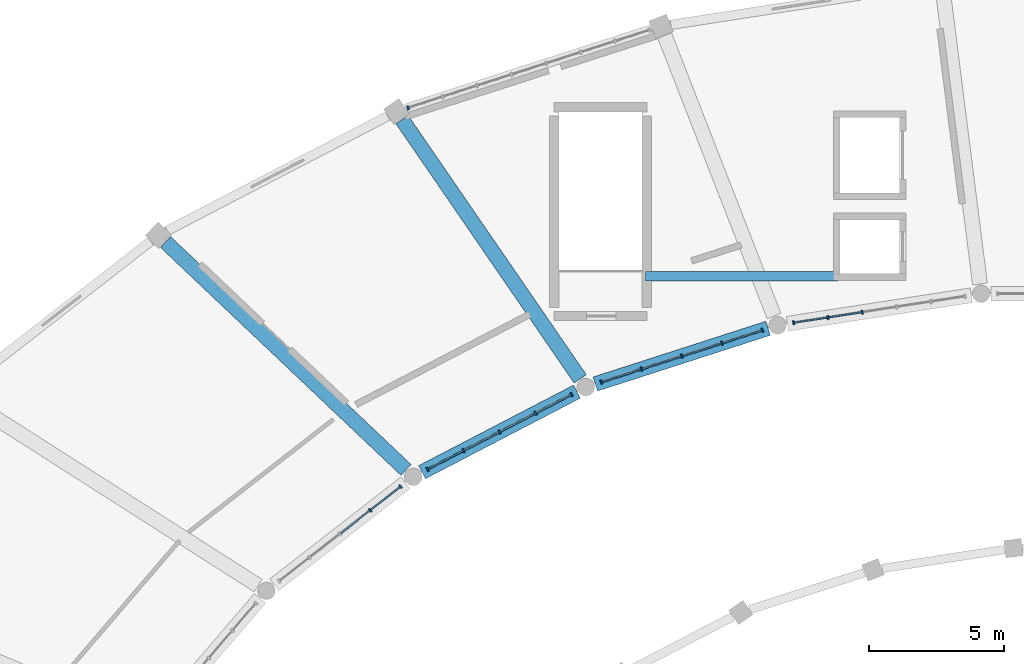
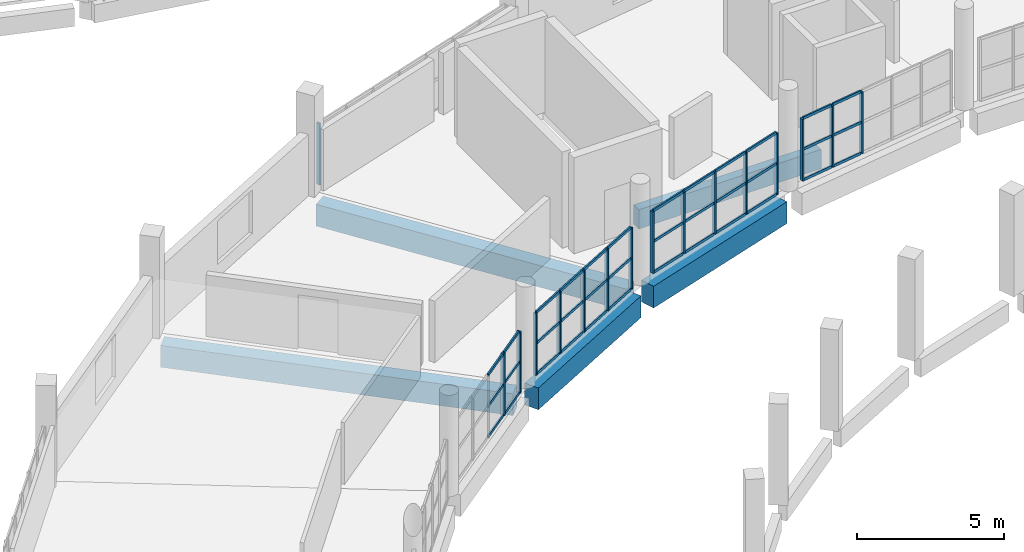
# One storey, part 28 of 142: 52 members, 5 beams, 5 elements without a shape of their own.
"""IFC4 building model written with IfcOpenShell, lengths in metres."""

from ifc_helpers import new_model, si_unit, direction, frame, origin, origin_2d, place, context, subcontext, project, spatial, rectangle, extrude, material, layer, layer_set, material_profile, profile_set, type_object, element, aggregate, save


model = new_model("IFC4")

# Units and contexts
model_context = context("Model", 3, precision=1e-05, world=origin(), true_north=direction((0.0, 1.0)))
body_context = subcontext(model_context, "Body", "Model", "MODEL_VIEW")
ifc_project = project(units=[si_unit("LENGTHUNIT", "METRE"), si_unit("AREAUNIT", "SQUARE_METRE"), si_unit("VOLUMEUNIT", "CUBIC_METRE"), si_unit("PLANEANGLEUNIT", "RADIAN"), si_unit("MASSUNIT", "GRAM", prefix="KILO")], contexts=[model_context])

# Site, building, storey
site_placement = place(None, origin())
site = spatial("IfcSite", under=ifc_project, at=site_placement, CompositionType="ELEMENT")
building_placement = place(site_placement, origin())
building = spatial("IfcBuilding", under=site, at=building_placement, Name="Corvandel Quay Wholesale Market", CompositionType="ELEMENT")
storey_placement = place(building_placement, frame((0.0, 0.0, 10.800048828125)))
storey = spatial("IfcBuildingStorey", under=building, at=storey_placement, Name="L02", CompositionType="ELEMENT", Elevation=10.800048828125)

# Beam
ifc_material_1 = material(Name="Concrete C40/50", Category="concrete")
ifc_material_profile_1 = material_profile(ifc_material_1, rectangle(XDim=0.35009765625, YDim=0.800048828125, at=origin_2d()), Name="RC-CPL-350x800")
ifc_profile_set_1 = profile_set([ifc_material_profile_1], Name="Concrete C40/50")
beam_type_1 = type_object("IfcBeamType", Name="Core Shear Wall Coupling Beam CP01 350x800", PredefinedType="BEAM", material=ifc_profile_set_1)
beam_1_placement = place(storey_placement, frame((97.675048828125, 73.10009765625, -0.650146484375), z_axis=(1.0, 0.0, 0.0), x_axis=(0.0, 1.0, 0.0)))
element("IfcBeam", 1, at=beam_1_placement, inside=storey, type_object=beam_type_1, Name="Core Coupling Beam K1-L02", PredefinedType="BEAM", context=body_context, shape_type="SweptSolid", body=[
    extrude(rectangle(XDim=0.35009765625, YDim=0.800048828125, at=origin_2d()), origin(), (0.0, 0.0, 1.0), 7.14990234375),
])

# Curtain wall, members
ifc_material_2 = material(Name="Bronze anodised aluminium and low-E insulated glazing", Category="aluminium")
ifc_layer_1 = layer(ifc_material_2, 0.174072265625)
ifc_layer_set_1 = layer_set([ifc_layer_1], Name="Bronze anodised aluminium and low-E insulated glazing")
curtain_wall_type_1 = type_object("IfcCurtainWallType", Name="Stick Curtain Wall System CW02 H3180", PredefinedType="NOTDEFINED", material=ifc_layer_set_1)
curtain_wall_1_placement = place(storey_placement, origin())
curtain_wall_1 = element("IfcCurtainWall", 2, at=curtain_wall_1_placement, inside=storey, type_object=curtain_wall_type_1, Name="Curtain Wall CW-0026", PredefinedType="NOTDEFINED")
ifc_material_3 = material(Name="Anodised aluminium 6063-T6", Category="aluminium")
ifc_material_profile_2 = material_profile(ifc_material_3, rectangle(XDim=0.06494140625, YDim=0.14990234375, at=origin_2d()), Name="ALU-MUL-65x150")
ifc_profile_set_2 = profile_set([ifc_material_profile_2], Name="Anodised aluminium 6063-T6")
member_type_1 = type_object("IfcMemberType", Name="Curtain Wall Mullion ML02 65x150", PredefinedType="MULLION", material=ifc_profile_set_2)
member_1_placement = place(storey_placement, frame((105.72412109375, 71.766357421875, 0.0), z_axis=(0.0, 0.0, 1.0), x_axis=(0.98825506746, 0.152813355565, 0.0)))
member_1 = element("IfcMember", 3, at=member_1_placement, type_object=member_type_1, Name="Mullion CW-0026-M03", PredefinedType="MULLION", context=body_context, shape_type="SweptSolid", body=[
    extrude(rectangle(XDim=0.06494140625, YDim=0.14990234375, at=origin_2d()), origin(), (0.0, 0.0, 1.0), 2.550048828125),
])
member_2_placement = place(storey_placement, frame((104.448486328125, 71.569091796875, 0.0), z_axis=(0.0, 0.0, 1.0), x_axis=(0.98825506746, 0.152813355565, 0.0)))
member_2 = element("IfcMember", 4, at=member_2_placement, type_object=member_type_1, Name="Mullion CW-0026-M04", PredefinedType="MULLION", context=body_context, shape_type="SweptSolid", body=[
    extrude(rectangle(XDim=0.06494140625, YDim=0.14990234375, at=origin_2d()), origin(), (0.0, 0.0, 1.0), 2.550048828125),
])
member_3_placement = place(storey_placement, frame((103.173095703125, 71.37158203125, 0.0), z_axis=(0.0, 0.0, 1.0), x_axis=(0.98825506746, 0.152813355565, 0.0)))
member_3 = element("IfcMember", 5, at=member_3_placement, type_object=member_type_1, Name="Mullion CW-0026-M05", PredefinedType="MULLION", context=body_context, shape_type="SweptSolid", body=[
    extrude(rectangle(XDim=0.06494140625, YDim=0.14990234375, at=origin_2d()), origin(), (0.0, 0.0, 1.0), 2.550048828125),
])

# Curtain wall, member
ifc_layer_2 = layer(ifc_material_2, 0.18603515625)
ifc_layer_set_2 = layer_set([ifc_layer_2], Name="Bronze anodised aluminium and low-E insulated glazing")
curtain_wall_type_2 = type_object("IfcCurtainWallType", Name="Stick Curtain Wall System CW18 H4620", PredefinedType="NOTDEFINED", material=ifc_layer_set_2)
curtain_wall_2_placement = place(storey_placement, origin())
curtain_wall_2 = element("IfcCurtainWall", 6, at=curtain_wall_2_placement, inside=storey, type_object=curtain_wall_type_2, Name="Curtain Wall CW-0027", PredefinedType="NOTDEFINED")
member_4_placement = place(storey_placement, frame((88.849365234375, 79.35791015625, 0.0), z_axis=(0.0, 0.0, 1.0), x_axis=(0.951808747363, 0.306692204733, 0.0)))
member_4 = element("IfcMember", 7, at=member_4_placement, type_object=member_type_1, Name="Mullion CW-0027-M07", PredefinedType="MULLION", context=body_context, shape_type="SweptSolid", body=[
    extrude(rectangle(XDim=0.06494140625, YDim=0.14990234375, at=origin_2d()), origin(), (0.0, 0.0, 1.0), 2.550048828125),
])
aggregate(curtain_wall_2, [member_4])

# Curtain wall, members
ifc_layer_3 = layer(ifc_material_2, 0.18603515625)
ifc_layer_set_3 = layer_set([ifc_layer_3], Name="Bronze anodised aluminium and low-E insulated glazing")
curtain_wall_type_3 = type_object("IfcCurtainWallType", Name="Stick Curtain Wall System CW03 H3270", PredefinedType="NOTDEFINED", material=ifc_layer_set_3)
curtain_wall_3_placement = place(storey_placement, origin())
curtain_wall_3 = element("IfcCurtainWall", 8, at=curtain_wall_3_placement, inside=storey, type_object=curtain_wall_type_3, Name="Curtain Wall CW-0029", PredefinedType="NOTDEFINED")
member_5_placement = place(storey_placement, frame((102.0087890625, 71.095947265625, 0.0), z_axis=(0.0, 0.0, 1.0), x_axis=(0.951808747363, 0.306692204733, 0.0)))
member_5 = element("IfcMember", 9, at=member_5_placement, type_object=member_type_1, Name="Mullion CW-0029-M00", PredefinedType="MULLION", context=body_context, shape_type="SweptSolid", body=[
    extrude(rectangle(XDim=0.06494140625, YDim=0.14990234375, at=origin_2d()), origin(), (0.0, 0.0, 1.0), 2.550048828125),
])
member_6_placement = place(storey_placement, frame((100.513427734375, 70.614013671875, 0.0), z_axis=(0.0, 0.0, 1.0), x_axis=(0.951808747363, 0.306692204733, 0.0)))
member_6 = element("IfcMember", 10, at=member_6_placement, type_object=member_type_1, Name="Mullion CW-0029-M01", PredefinedType="MULLION", context=body_context, shape_type="SweptSolid", body=[
    extrude(rectangle(XDim=0.06494140625, YDim=0.14990234375, at=origin_2d()), origin(), (0.0, 0.0, 1.0), 2.550048828125),
])
member_7_placement = place(storey_placement, frame((99.01806640625, 70.132080078125, 0.0), z_axis=(0.0, 0.0, 1.0), x_axis=(0.951808747363, 0.306692204733, 0.0)))
member_7 = element("IfcMember", 11, at=member_7_placement, type_object=member_type_1, Name="Mullion CW-0029-M02", PredefinedType="MULLION", context=body_context, shape_type="SweptSolid", body=[
    extrude(rectangle(XDim=0.06494140625, YDim=0.14990234375, at=origin_2d()), origin(), (0.0, 0.0, 1.0), 2.550048828125),
])
member_8_placement = place(storey_placement, frame((97.522705078125, 69.64990234375, 0.0), z_axis=(0.0, 0.0, 1.0), x_axis=(0.951808747363, 0.306692204733, 0.0)))
member_8 = element("IfcMember", 12, at=member_8_placement, type_object=member_type_1, Name="Mullion CW-0029-M03", PredefinedType="MULLION", context=body_context, shape_type="SweptSolid", body=[
    extrude(rectangle(XDim=0.06494140625, YDim=0.14990234375, at=origin_2d()), origin(), (0.0, 0.0, 1.0), 2.550048828125),
])
member_9_placement = place(storey_placement, frame((96.027099609375, 69.16796875, 0.0), z_axis=(0.0, 0.0, 1.0), x_axis=(0.951808747363, 0.306692204733, 0.0)))
member_9 = element("IfcMember", 13, at=member_9_placement, type_object=member_type_1, Name="Mullion CW-0029-M04", PredefinedType="MULLION", context=body_context, shape_type="SweptSolid", body=[
    extrude(rectangle(XDim=0.06494140625, YDim=0.14990234375, at=origin_2d()), origin(), (0.0, 0.0, 1.0), 2.550048828125),
])

ifc_layer_4 = layer(ifc_material_2, 0.197998046875)
ifc_layer_set_4 = layer_set([ifc_layer_4], Name="Bronze anodised aluminium and low-E insulated glazing")
curtain_wall_type_4 = type_object("IfcCurtainWallType", Name="Stick Curtain Wall System CW04 H3360", PredefinedType="NOTDEFINED", material=ifc_layer_set_4)
curtain_wall_4_placement = place(storey_placement, origin())
curtain_wall_4 = element("IfcCurtainWall", 14, at=curtain_wall_4_placement, inside=storey, type_object=curtain_wall_type_4, Name="Curtain Wall CW-0033", PredefinedType="NOTDEFINED")
member_10_placement = place(storey_placement, frame((94.923583984375, 68.70751953125, 0.0), z_axis=(0.0, 0.0, 1.0), x_axis=(0.887332978338, 0.461129250378, 0.0)))
member_10 = element("IfcMember", 15, at=member_10_placement, type_object=member_type_1, Name="Mullion CW-0033-M00", PredefinedType="MULLION", context=body_context, shape_type="SweptSolid", body=[
    extrude(rectangle(XDim=0.06494140625, YDim=0.14990234375, at=origin_2d()), origin(), (0.0, 0.0, 1.0), 2.550048828125),
])
member_11_placement = place(storey_placement, frame((93.58642578125, 68.0126953125, 0.0), z_axis=(0.0, 0.0, 1.0), x_axis=(0.887332978338, 0.461129250378, 0.0)))
member_11 = element("IfcMember", 16, at=member_11_placement, type_object=member_type_1, Name="Mullion CW-0033-M01", PredefinedType="MULLION", context=body_context, shape_type="SweptSolid", body=[
    extrude(rectangle(XDim=0.06494140625, YDim=0.14990234375, at=origin_2d()), origin(), (0.0, 0.0, 1.0), 2.550048828125),
])
member_12_placement = place(storey_placement, frame((92.24951171875, 67.318115234375, 0.0), z_axis=(0.0, 0.0, 1.0), x_axis=(0.887332978338, 0.461129250378, 0.0)))
member_12 = element("IfcMember", 17, at=member_12_placement, type_object=member_type_1, Name="Mullion CW-0033-M02", PredefinedType="MULLION", context=body_context, shape_type="SweptSolid", body=[
    extrude(rectangle(XDim=0.06494140625, YDim=0.14990234375, at=origin_2d()), origin(), (0.0, 0.0, 1.0), 2.550048828125),
])
member_13_placement = place(storey_placement, frame((90.91259765625, 66.623291015625, 0.0), z_axis=(0.0, 0.0, 1.0), x_axis=(0.887332978338, 0.461129250378, 0.0)))
member_13 = element("IfcMember", 18, at=member_13_placement, type_object=member_type_1, Name="Mullion CW-0033-M03", PredefinedType="MULLION", context=body_context, shape_type="SweptSolid", body=[
    extrude(rectangle(XDim=0.06494140625, YDim=0.14990234375, at=origin_2d()), origin(), (0.0, 0.0, 1.0), 2.550048828125),
])
member_14_placement = place(storey_placement, frame((89.575439453125, 65.9287109375, 0.0), z_axis=(0.0, 0.0, 1.0), x_axis=(0.887332978338, 0.461129250378, 0.0)))
member_14 = element("IfcMember", 19, at=member_14_placement, type_object=member_type_1, Name="Mullion CW-0033-M04", PredefinedType="MULLION", context=body_context, shape_type="SweptSolid", body=[
    extrude(rectangle(XDim=0.06494140625, YDim=0.14990234375, at=origin_2d()), origin(), (0.0, 0.0, 1.0), 2.550048828125),
])

ifc_layer_5 = layer(ifc_material_2, 0.14990234375)
ifc_layer_set_5 = layer_set([ifc_layer_5], Name="Bronze anodised aluminium and low-E insulated glazing")
curtain_wall_type_5 = type_object("IfcCurtainWallType", Name="Stick Curtain Wall System CW05 H3450", PredefinedType="NOTDEFINED", material=ifc_layer_set_5)
curtain_wall_5_placement = place(storey_placement, origin())
curtain_wall_5 = element("IfcCurtainWall", 20, at=curtain_wall_5_placement, inside=storey, type_object=curtain_wall_type_5, Name="Curtain Wall CW-0035", PredefinedType="NOTDEFINED")
member_15_placement = place(storey_placement, frame((88.5693359375, 65.28369140625, 0.0), z_axis=(0.0, 0.0, 1.0), x_axis=(0.789405615633, 0.613871952452, 0.0)))
member_15 = element("IfcMember", 21, at=member_15_placement, type_object=member_type_1, Name="Mullion CW-0035-M00", PredefinedType="MULLION", context=body_context, shape_type="SweptSolid", body=[
    extrude(rectangle(XDim=0.06494140625, YDim=0.14990234375, at=origin_2d()), origin(), (0.0, 0.0, 1.0), 2.550048828125),
])
member_16_placement = place(storey_placement, frame((87.44287109375, 64.40771484375, 0.0), z_axis=(0.0, 0.0, 1.0), x_axis=(0.789405615633, 0.613871952452, 0.0)))
member_16 = element("IfcMember", 22, at=member_16_placement, type_object=member_type_1, Name="Mullion CW-0035-M01", PredefinedType="MULLION", context=body_context, shape_type="SweptSolid", body=[
    extrude(rectangle(XDim=0.06494140625, YDim=0.14990234375, at=origin_2d()), origin(), (0.0, 0.0, 1.0), 2.550048828125),
])

# Member
ifc_material_profile_3 = material_profile(ifc_material_3, rectangle(XDim=0.06005859375, YDim=0.110107421875, at=origin_2d()), Name="ALU-TRN-60x110")
ifc_profile_set_3 = profile_set([ifc_material_profile_3], Name="Anodised aluminium 6063-T6")
member_type_2 = type_object("IfcMemberType", Name="Curtain Wall Transom TR02 60x110", PredefinedType="USERDEFINED", material=ifc_profile_set_3)
member_17_placement = place(storey_placement, frame((105.692138671875, 71.761474609375, 0.0), z_axis=(-0.988233143916, -0.152955069433, 0.0), x_axis=(0.152955069433, -0.988233143916, 0.0)))
member_17 = element("IfcMember", 23, at=member_17_placement, type_object=member_type_2, Name="Transom CW-0026-T03-0", ObjectType="TRANSOM", PredefinedType="USERDEFINED", context=body_context, shape_type="SweptSolid", body=[
    extrude(rectangle(XDim=0.06005859375, YDim=0.110107421875, at=origin_2d()), origin(), (0.0, 0.0, 1.0), 1.225830078125),
])

member_18_placement = place(storey_placement, frame((105.692138671875, 71.761474609375, 1.27490234375), z_axis=(-0.988233143916, -0.152955069433, 0.0), x_axis=(0.152955069433, -0.988233143916, 0.0)))
member_18 = element("IfcMember", 24, at=member_18_placement, type_object=member_type_2, Name="Transom CW-0026-T03-1", ObjectType="TRANSOM", PredefinedType="USERDEFINED", context=body_context, shape_type="SweptSolid", body=[
    extrude(rectangle(XDim=0.06005859375, YDim=0.110107421875, at=origin_2d()), origin(), (0.0, 0.0, 1.0), 1.225830078125),
])

member_19_placement = place(storey_placement, frame((105.692138671875, 71.761474609375, 2.550048828125), z_axis=(-0.988233143916, -0.152955069433, 0.0), x_axis=(0.152955069433, -0.988233143916, 0.0)))
member_19 = element("IfcMember", 25, at=member_19_placement, type_object=member_type_2, Name="Transom CW-0026-T03-2", ObjectType="TRANSOM", PredefinedType="USERDEFINED", context=body_context, shape_type="SweptSolid", body=[
    extrude(rectangle(XDim=0.06005859375, YDim=0.110107421875, at=origin_2d()), origin(), (0.0, 0.0, 1.0), 1.225830078125),
])

member_20_placement = place(storey_placement, frame((104.41650390625, 71.564208984375, 0.0), z_axis=(-0.988233143916, -0.152955069433, 0.0), x_axis=(0.152955069433, -0.988233143916, 0.0)))
member_20 = element("IfcMember", 26, at=member_20_placement, type_object=member_type_2, Name="Transom CW-0026-T04-0", ObjectType="TRANSOM", PredefinedType="USERDEFINED", context=body_context, shape_type="SweptSolid", body=[
    extrude(rectangle(XDim=0.06005859375, YDim=0.110107421875, at=origin_2d()), origin(), (0.0, 0.0, 1.0), 1.225830078125),
])

member_21_placement = place(storey_placement, frame((104.41650390625, 71.564208984375, 1.27490234375), z_axis=(-0.988233143916, -0.152955069433, 0.0), x_axis=(0.152955069433, -0.988233143916, 0.0)))
member_21 = element("IfcMember", 27, at=member_21_placement, type_object=member_type_2, Name="Transom CW-0026-T04-1", ObjectType="TRANSOM", PredefinedType="USERDEFINED", context=body_context, shape_type="SweptSolid", body=[
    extrude(rectangle(XDim=0.06005859375, YDim=0.110107421875, at=origin_2d()), origin(), (0.0, 0.0, 1.0), 1.225830078125),
])

member_22_placement = place(storey_placement, frame((104.41650390625, 71.564208984375, 2.550048828125), z_axis=(-0.988233143916, -0.152955069433, 0.0), x_axis=(0.152955069433, -0.988233143916, 0.0)))
member_22 = element("IfcMember", 28, at=member_22_placement, type_object=member_type_2, Name="Transom CW-0026-T04-2", ObjectType="TRANSOM", PredefinedType="USERDEFINED", context=body_context, shape_type="SweptSolid", body=[
    extrude(rectangle(XDim=0.06005859375, YDim=0.110107421875, at=origin_2d()), origin(), (0.0, 0.0, 1.0), 1.225830078125),
])

aggregate(curtain_wall_1, [member_1, member_2, member_3, member_17, member_18, member_19, member_20, member_21, member_22])

member_23_placement = place(storey_placement, frame((101.97802734375, 71.0859375, 0.0), z_axis=(-0.951812449712, -0.306680714383, 0.0), x_axis=(0.306680714383, -0.951812449712, 0.0)))
member_23 = element("IfcMember", 29, at=member_23_placement, type_object=member_type_2, Name="Transom CW-0029-T00-0", ObjectType="TRANSOM", PredefinedType="USERDEFINED", context=body_context, shape_type="SweptSolid", body=[
    extrude(rectangle(XDim=0.06005859375, YDim=0.110107421875, at=origin_2d()), origin(), (0.0, 0.0, 1.0), 1.506103515625),
])

member_24_placement = place(storey_placement, frame((101.97802734375, 71.0859375, 1.27490234375), z_axis=(-0.951812449712, -0.306680714383, 0.0), x_axis=(0.306680714383, -0.951812449712, 0.0)))
member_24 = element("IfcMember", 30, at=member_24_placement, type_object=member_type_2, Name="Transom CW-0029-T00-1", ObjectType="TRANSOM", PredefinedType="USERDEFINED", context=body_context, shape_type="SweptSolid", body=[
    extrude(rectangle(XDim=0.06005859375, YDim=0.110107421875, at=origin_2d()), origin(), (0.0, 0.0, 1.0), 1.506103515625),
])

member_25_placement = place(storey_placement, frame((101.97802734375, 71.0859375, 2.550048828125), z_axis=(-0.951812449712, -0.306680714383, 0.0), x_axis=(0.306680714383, -0.951812449712, 0.0)))
member_25 = element("IfcMember", 31, at=member_25_placement, type_object=member_type_2, Name="Transom CW-0029-T00-2", ObjectType="TRANSOM", PredefinedType="USERDEFINED", context=body_context, shape_type="SweptSolid", body=[
    extrude(rectangle(XDim=0.06005859375, YDim=0.110107421875, at=origin_2d()), origin(), (0.0, 0.0, 1.0), 1.506103515625),
])

member_26_placement = place(storey_placement, frame((100.482421875, 70.60400390625, 0.0), z_axis=(-0.951812449712, -0.306680714383, 0.0), x_axis=(0.306680714383, -0.951812449712, 0.0)))
member_26 = element("IfcMember", 32, at=member_26_placement, type_object=member_type_2, Name="Transom CW-0029-T01-0", ObjectType="TRANSOM", PredefinedType="USERDEFINED", context=body_context, shape_type="SweptSolid", body=[
    extrude(rectangle(XDim=0.06005859375, YDim=0.110107421875, at=origin_2d()), origin(), (0.0, 0.0, 1.0), 1.506103515625),
])

member_27_placement = place(storey_placement, frame((100.482421875, 70.60400390625, 1.27490234375), z_axis=(-0.951812449712, -0.306680714383, 0.0), x_axis=(0.306680714383, -0.951812449712, 0.0)))
member_27 = element("IfcMember", 33, at=member_27_placement, type_object=member_type_2, Name="Transom CW-0029-T01-1", ObjectType="TRANSOM", PredefinedType="USERDEFINED", context=body_context, shape_type="SweptSolid", body=[
    extrude(rectangle(XDim=0.06005859375, YDim=0.110107421875, at=origin_2d()), origin(), (0.0, 0.0, 1.0), 1.506103515625),
])

member_28_placement = place(storey_placement, frame((100.482421875, 70.60400390625, 2.550048828125), z_axis=(-0.951812449712, -0.306680714383, 0.0), x_axis=(0.306680714383, -0.951812449712, 0.0)))
member_28 = element("IfcMember", 34, at=member_28_placement, type_object=member_type_2, Name="Transom CW-0029-T01-2", ObjectType="TRANSOM", PredefinedType="USERDEFINED", context=body_context, shape_type="SweptSolid", body=[
    extrude(rectangle(XDim=0.06005859375, YDim=0.110107421875, at=origin_2d()), origin(), (0.0, 0.0, 1.0), 1.506103515625),
])

member_29_placement = place(storey_placement, frame((98.987060546875, 70.1220703125, 0.0), z_axis=(-0.951765125265, -0.306827551452, 0.0), x_axis=(0.306827551452, -0.951765125265, 0.0)))
member_29 = element("IfcMember", 35, at=member_29_placement, type_object=member_type_2, Name="Transom CW-0029-T02-0", ObjectType="TRANSOM", PredefinedType="USERDEFINED", context=body_context, shape_type="SweptSolid", body=[
    extrude(rectangle(XDim=0.06005859375, YDim=0.110107421875, at=origin_2d()), origin(), (0.0, 0.0, 1.0), 1.50634765625),
])

member_30_placement = place(storey_placement, frame((98.987060546875, 70.1220703125, 1.27490234375), z_axis=(-0.951765125265, -0.306827551452, 0.0), x_axis=(0.306827551452, -0.951765125265, 0.0)))
member_30 = element("IfcMember", 36, at=member_30_placement, type_object=member_type_2, Name="Transom CW-0029-T02-1", ObjectType="TRANSOM", PredefinedType="USERDEFINED", context=body_context, shape_type="SweptSolid", body=[
    extrude(rectangle(XDim=0.06005859375, YDim=0.110107421875, at=origin_2d()), origin(), (0.0, 0.0, 1.0), 1.50634765625),
])

member_31_placement = place(storey_placement, frame((98.987060546875, 70.1220703125, 2.550048828125), z_axis=(-0.951765125265, -0.306827551452, 0.0), x_axis=(0.306827551452, -0.951765125265, 0.0)))
member_31 = element("IfcMember", 37, at=member_31_placement, type_object=member_type_2, Name="Transom CW-0029-T02-2", ObjectType="TRANSOM", PredefinedType="USERDEFINED", context=body_context, shape_type="SweptSolid", body=[
    extrude(rectangle(XDim=0.06005859375, YDim=0.110107421875, at=origin_2d()), origin(), (0.0, 0.0, 1.0), 1.50634765625),
])

member_32_placement = place(storey_placement, frame((97.49169921875, 69.639892578125, 0.0), z_axis=(-0.951812449712, -0.306680714383, 0.0), x_axis=(0.306680714383, -0.951812449712, 0.0)))
member_32 = element("IfcMember", 38, at=member_32_placement, type_object=member_type_2, Name="Transom CW-0029-T03-0", ObjectType="TRANSOM", PredefinedType="USERDEFINED", context=body_context, shape_type="SweptSolid", body=[
    extrude(rectangle(XDim=0.06005859375, YDim=0.110107421875, at=origin_2d()), origin(), (0.0, 0.0, 1.0), 1.506103515625),
])

member_33_placement = place(storey_placement, frame((97.49169921875, 69.639892578125, 1.27490234375), z_axis=(-0.951812449712, -0.306680714383, 0.0), x_axis=(0.306680714383, -0.951812449712, 0.0)))
member_33 = element("IfcMember", 39, at=member_33_placement, type_object=member_type_2, Name="Transom CW-0029-T03-1", ObjectType="TRANSOM", PredefinedType="USERDEFINED", context=body_context, shape_type="SweptSolid", body=[
    extrude(rectangle(XDim=0.06005859375, YDim=0.110107421875, at=origin_2d()), origin(), (0.0, 0.0, 1.0), 1.506103515625),
])

member_34_placement = place(storey_placement, frame((97.49169921875, 69.639892578125, 2.550048828125), z_axis=(-0.951812449712, -0.306680714383, 0.0), x_axis=(0.306680714383, -0.951812449712, 0.0)))
member_34 = element("IfcMember", 40, at=member_34_placement, type_object=member_type_2, Name="Transom CW-0029-T03-2", ObjectType="TRANSOM", PredefinedType="USERDEFINED", context=body_context, shape_type="SweptSolid", body=[
    extrude(rectangle(XDim=0.06005859375, YDim=0.110107421875, at=origin_2d()), origin(), (0.0, 0.0, 1.0), 1.506103515625),
])

aggregate(curtain_wall_3, [member_5, member_6, member_7, member_8, member_9, member_23, member_24, member_25, member_26, member_27, member_28, member_29, member_30, member_31, member_32, member_33, member_34])

member_35_placement = place(storey_placement, frame((94.894775390625, 68.6923828125, 0.0), z_axis=(-0.887341534399, -0.46111278591, 0.0), x_axis=(0.46111278591, -0.887341534399, 0.0)))
member_35 = element("IfcMember", 41, at=member_35_placement, type_object=member_type_2, Name="Transom CW-0033-T00-0", ObjectType="TRANSOM", PredefinedType="USERDEFINED", context=body_context, shape_type="SweptSolid", body=[
    extrude(rectangle(XDim=0.06005859375, YDim=0.110107421875, at=origin_2d()), origin(), (0.0, 0.0, 1.0), 1.441650390625),
])

member_36_placement = place(storey_placement, frame((94.894775390625, 68.6923828125, 1.27490234375), z_axis=(-0.887341534399, -0.46111278591, 0.0), x_axis=(0.46111278591, -0.887341534399, 0.0)))
member_36 = element("IfcMember", 42, at=member_36_placement, type_object=member_type_2, Name="Transom CW-0033-T00-1", ObjectType="TRANSOM", PredefinedType="USERDEFINED", context=body_context, shape_type="SweptSolid", body=[
    extrude(rectangle(XDim=0.06005859375, YDim=0.110107421875, at=origin_2d()), origin(), (0.0, 0.0, 1.0), 1.441650390625),
])

member_37_placement = place(storey_placement, frame((94.894775390625, 68.6923828125, 2.550048828125), z_axis=(-0.887341534399, -0.46111278591, 0.0), x_axis=(0.46111278591, -0.887341534399, 0.0)))
member_37 = element("IfcMember", 43, at=member_37_placement, type_object=member_type_2, Name="Transom CW-0033-T00-2", ObjectType="TRANSOM", PredefinedType="USERDEFINED", context=body_context, shape_type="SweptSolid", body=[
    extrude(rectangle(XDim=0.06005859375, YDim=0.110107421875, at=origin_2d()), origin(), (0.0, 0.0, 1.0), 1.441650390625),
])

member_38_placement = place(storey_placement, frame((93.5576171875, 67.997802734375, 0.0), z_axis=(-0.887341534399, -0.46111278591, 0.0), x_axis=(0.46111278591, -0.887341534399, 0.0)))
member_38 = element("IfcMember", 44, at=member_38_placement, type_object=member_type_2, Name="Transom CW-0033-T01-0", ObjectType="TRANSOM", PredefinedType="USERDEFINED", context=body_context, shape_type="SweptSolid", body=[
    extrude(rectangle(XDim=0.06005859375, YDim=0.110107421875, at=origin_2d()), origin(), (0.0, 0.0, 1.0), 1.441650390625),
])

member_39_placement = place(storey_placement, frame((93.5576171875, 67.997802734375, 1.27490234375), z_axis=(-0.887341534399, -0.46111278591, 0.0), x_axis=(0.46111278591, -0.887341534399, 0.0)))
member_39 = element("IfcMember", 45, at=member_39_placement, type_object=member_type_2, Name="Transom CW-0033-T01-1", ObjectType="TRANSOM", PredefinedType="USERDEFINED", context=body_context, shape_type="SweptSolid", body=[
    extrude(rectangle(XDim=0.06005859375, YDim=0.110107421875, at=origin_2d()), origin(), (0.0, 0.0, 1.0), 1.441650390625),
])

member_40_placement = place(storey_placement, frame((93.5576171875, 67.997802734375, 2.550048828125), z_axis=(-0.887341534399, -0.46111278591, 0.0), x_axis=(0.46111278591, -0.887341534399, 0.0)))
member_40 = element("IfcMember", 46, at=member_40_placement, type_object=member_type_2, Name="Transom CW-0033-T01-2", ObjectType="TRANSOM", PredefinedType="USERDEFINED", context=body_context, shape_type="SweptSolid", body=[
    extrude(rectangle(XDim=0.06005859375, YDim=0.110107421875, at=origin_2d()), origin(), (0.0, 0.0, 1.0), 1.441650390625),
])

member_41_placement = place(storey_placement, frame((92.220703125, 67.302978515625, 0.0), z_axis=(-0.887341534399, -0.46111278591, 0.0), x_axis=(0.46111278591, -0.887341534399, 0.0)))
member_41 = element("IfcMember", 47, at=member_41_placement, type_object=member_type_2, Name="Transom CW-0033-T02-0", ObjectType="TRANSOM", PredefinedType="USERDEFINED", context=body_context, shape_type="SweptSolid", body=[
    extrude(rectangle(XDim=0.06005859375, YDim=0.110107421875, at=origin_2d()), origin(), (0.0, 0.0, 1.0), 1.441650390625),
])

member_42_placement = place(storey_placement, frame((92.220703125, 67.302978515625, 1.27490234375), z_axis=(-0.887341534399, -0.46111278591, 0.0), x_axis=(0.46111278591, -0.887341534399, 0.0)))
member_42 = element("IfcMember", 48, at=member_42_placement, type_object=member_type_2, Name="Transom CW-0033-T02-1", ObjectType="TRANSOM", PredefinedType="USERDEFINED", context=body_context, shape_type="SweptSolid", body=[
    extrude(rectangle(XDim=0.06005859375, YDim=0.110107421875, at=origin_2d()), origin(), (0.0, 0.0, 1.0), 1.441650390625),
])

member_43_placement = place(storey_placement, frame((92.220703125, 67.302978515625, 2.550048828125), z_axis=(-0.887341534399, -0.46111278591, 0.0), x_axis=(0.46111278591, -0.887341534399, 0.0)))
member_43 = element("IfcMember", 49, at=member_43_placement, type_object=member_type_2, Name="Transom CW-0033-T02-2", ObjectType="TRANSOM", PredefinedType="USERDEFINED", context=body_context, shape_type="SweptSolid", body=[
    extrude(rectangle(XDim=0.06005859375, YDim=0.110107421875, at=origin_2d()), origin(), (0.0, 0.0, 1.0), 1.441650390625),
])

member_44_placement = place(storey_placement, frame((90.883544921875, 66.6083984375, 0.0), z_axis=(-0.887341534399, -0.46111278591, 0.0), x_axis=(0.46111278591, -0.887341534399, 0.0)))
member_44 = element("IfcMember", 50, at=member_44_placement, type_object=member_type_2, Name="Transom CW-0033-T03-0", ObjectType="TRANSOM", PredefinedType="USERDEFINED", context=body_context, shape_type="SweptSolid", body=[
    extrude(rectangle(XDim=0.06005859375, YDim=0.110107421875, at=origin_2d()), origin(), (0.0, 0.0, 1.0), 1.441650390625),
])

member_45_placement = place(storey_placement, frame((90.883544921875, 66.6083984375, 1.27490234375), z_axis=(-0.887341534399, -0.46111278591, 0.0), x_axis=(0.46111278591, -0.887341534399, 0.0)))
member_45 = element("IfcMember", 51, at=member_45_placement, type_object=member_type_2, Name="Transom CW-0033-T03-1", ObjectType="TRANSOM", PredefinedType="USERDEFINED", context=body_context, shape_type="SweptSolid", body=[
    extrude(rectangle(XDim=0.06005859375, YDim=0.110107421875, at=origin_2d()), origin(), (0.0, 0.0, 1.0), 1.441650390625),
])

member_46_placement = place(storey_placement, frame((90.883544921875, 66.6083984375, 2.550048828125), z_axis=(-0.887341534399, -0.46111278591, 0.0), x_axis=(0.46111278591, -0.887341534399, 0.0)))
member_46 = element("IfcMember", 52, at=member_46_placement, type_object=member_type_2, Name="Transom CW-0033-T03-2", ObjectType="TRANSOM", PredefinedType="USERDEFINED", context=body_context, shape_type="SweptSolid", body=[
    extrude(rectangle(XDim=0.06005859375, YDim=0.110107421875, at=origin_2d()), origin(), (0.0, 0.0, 1.0), 1.441650390625),
])

aggregate(curtain_wall_4, [member_10, member_11, member_12, member_13, member_14, member_35, member_36, member_37, member_38, member_39, member_40, member_41, member_42, member_43, member_44, member_45, member_46])

member_47_placement = place(storey_placement, frame((88.543701171875, 65.263671875, 0.0), z_axis=(-0.789381170954, -0.613903385676, 0.0), x_axis=(0.613903385676, -0.789381170954, 0.0)))
member_47 = element("IfcMember", 53, at=member_47_placement, type_object=member_type_2, Name="Transom CW-0035-T00-0", ObjectType="TRANSOM", PredefinedType="USERDEFINED", context=body_context, shape_type="SweptSolid", body=[
    extrude(rectangle(XDim=0.06005859375, YDim=0.110107421875, at=origin_2d()), origin(), (0.0, 0.0, 1.0), 1.362060546875),
])

member_48_placement = place(storey_placement, frame((88.543701171875, 65.263671875, 1.27490234375), z_axis=(-0.789381170954, -0.613903385676, 0.0), x_axis=(0.613903385676, -0.789381170954, 0.0)))
member_48 = element("IfcMember", 54, at=member_48_placement, type_object=member_type_2, Name="Transom CW-0035-T00-1", ObjectType="TRANSOM", PredefinedType="USERDEFINED", context=body_context, shape_type="SweptSolid", body=[
    extrude(rectangle(XDim=0.06005859375, YDim=0.110107421875, at=origin_2d()), origin(), (0.0, 0.0, 1.0), 1.362060546875),
])

member_49_placement = place(storey_placement, frame((88.543701171875, 65.263671875, 2.550048828125), z_axis=(-0.789381170954, -0.613903385676, 0.0), x_axis=(0.613903385676, -0.789381170954, 0.0)))
member_49 = element("IfcMember", 55, at=member_49_placement, type_object=member_type_2, Name="Transom CW-0035-T00-2", ObjectType="TRANSOM", PredefinedType="USERDEFINED", context=body_context, shape_type="SweptSolid", body=[
    extrude(rectangle(XDim=0.06005859375, YDim=0.110107421875, at=origin_2d()), origin(), (0.0, 0.0, 1.0), 1.362060546875),
])

member_50_placement = place(storey_placement, frame((87.417236328125, 64.3876953125, 0.0), z_axis=(-0.789313604412, -0.613990255533, 0.0), x_axis=(0.613990255533, -0.789313604412, 0.0)))
member_50 = element("IfcMember", 56, at=member_50_placement, type_object=member_type_2, Name="Transom CW-0035-T01-0", ObjectType="TRANSOM", PredefinedType="USERDEFINED", context=body_context, shape_type="SweptSolid", body=[
    extrude(rectangle(XDim=0.06005859375, YDim=0.110107421875, at=origin_2d()), origin(), (0.0, 0.0, 1.0), 1.36181640625),
])

member_51_placement = place(storey_placement, frame((87.417236328125, 64.3876953125, 1.27490234375), z_axis=(-0.789313604412, -0.613990255533, 0.0), x_axis=(0.613990255533, -0.789313604412, 0.0)))
member_51 = element("IfcMember", 57, at=member_51_placement, type_object=member_type_2, Name="Transom CW-0035-T01-1", ObjectType="TRANSOM", PredefinedType="USERDEFINED", context=body_context, shape_type="SweptSolid", body=[
    extrude(rectangle(XDim=0.06005859375, YDim=0.110107421875, at=origin_2d()), origin(), (0.0, 0.0, 1.0), 1.36181640625),
])

member_52_placement = place(storey_placement, frame((87.417236328125, 64.3876953125, 2.550048828125), z_axis=(-0.789313604412, -0.613990255533, 0.0), x_axis=(0.613990255533, -0.789313604412, 0.0)))
member_52 = element("IfcMember", 58, at=member_52_placement, type_object=member_type_2, Name="Transom CW-0035-T01-2", ObjectType="TRANSOM", PredefinedType="USERDEFINED", context=body_context, shape_type="SweptSolid", body=[
    extrude(rectangle(XDim=0.06005859375, YDim=0.110107421875, at=origin_2d()), origin(), (0.0, 0.0, 1.0), 1.36181640625),
])

aggregate(curtain_wall_5, [member_15, member_16, member_47, member_48, member_49, member_50, member_51, member_52])

# Beams
ifc_material_4 = material(Name="Precast concrete C45/55", Category="concrete")
ifc_material_profile_4 = material_profile(ifc_material_4, rectangle(XDim=0.550048828125, YDim=0.89990234375, at=origin_2d()), Name="PC-GIR-550x900")
ifc_profile_set_4 = profile_set([ifc_material_profile_4], Name="Precast concrete C45/55")
beam_type_2 = type_object("IfcBeamType", Name="Produce Hall Radial Girder G03 550x900", PredefinedType="USERDEFINED", material=ifc_profile_set_4)
beam_2_placement = place(storey_placement, frame((102.227783203125, 71.16650390625, -0.77001953125), z_axis=(-0.951785347661, -0.306764815418, 0.0), x_axis=(0.306764815418, -0.951785347661, 0.0)))
element("IfcBeam", 59, at=beam_2_placement, inside=storey, type_object=beam_type_2, Name="Beam BM-0121", ObjectType="GIRDER", PredefinedType="USERDEFINED", context=body_context, shape_type="SweptSolid", body=[
    extrude(rectangle(XDim=0.550048828125, YDim=0.89990234375, at=origin_2d()), origin(), (0.0, 0.0, 1.0), 6.744873046875),
])
beam_3_placement = place(storey_placement, frame((95.127685546875, 68.8134765625, -0.77001953125), z_axis=(-0.887364026479, -0.461069500738, 0.0), x_axis=(0.461069500738, -0.887364026479, 0.0)))
element("IfcBeam", 60, at=beam_3_placement, inside=storey, type_object=beam_type_2, Name="Beam BM-0134", ObjectType="GIRDER", PredefinedType="USERDEFINED", context=body_context, shape_type="SweptSolid", body=[
    extrude(rectangle(XDim=0.550048828125, YDim=0.89990234375, at=origin_2d()), origin(), (0.0, 0.0, 1.0), 6.487060546875),
])
beam_4_placement = place(storey_placement, frame((88.630615234375, 78.9150390625, -0.77001953125), z_axis=(0.566394866966, -0.824134002863, 0.0), x_axis=(0.824134002863, 0.566394866966, 0.0)))
element("IfcBeam", 61, at=beam_4_placement, inside=storey, type_object=beam_type_2, Name="Beam BM-0136", ObjectType="GIRDER", PredefinedType="USERDEFINED", context=body_context, shape_type="SweptSolid", body=[
    extrude(rectangle(XDim=0.550048828125, YDim=0.89990234375, at=origin_2d()), origin(), (0.0, 0.0, 1.0), 11.680419921875),
])
beam_5_placement = place(storey_placement, frame((79.845458984375, 74.369384765625, -0.77001953125), z_axis=(0.725795178722, -0.687910865261, 0.0), x_axis=(0.687910865261, 0.725795178722, 0.0)))
element("IfcBeam", 62, at=beam_5_placement, inside=storey, type_object=beam_type_2, Name="Beam BM-0149", ObjectType="GIRDER", PredefinedType="USERDEFINED", context=body_context, shape_type="SweptSolid", body=[
    extrude(rectangle(XDim=0.550048828125, YDim=0.89990234375, at=origin_2d()), origin(), (0.0, 0.0, 1.0), 12.30224609375),
])

save(model, "model.ifc")
